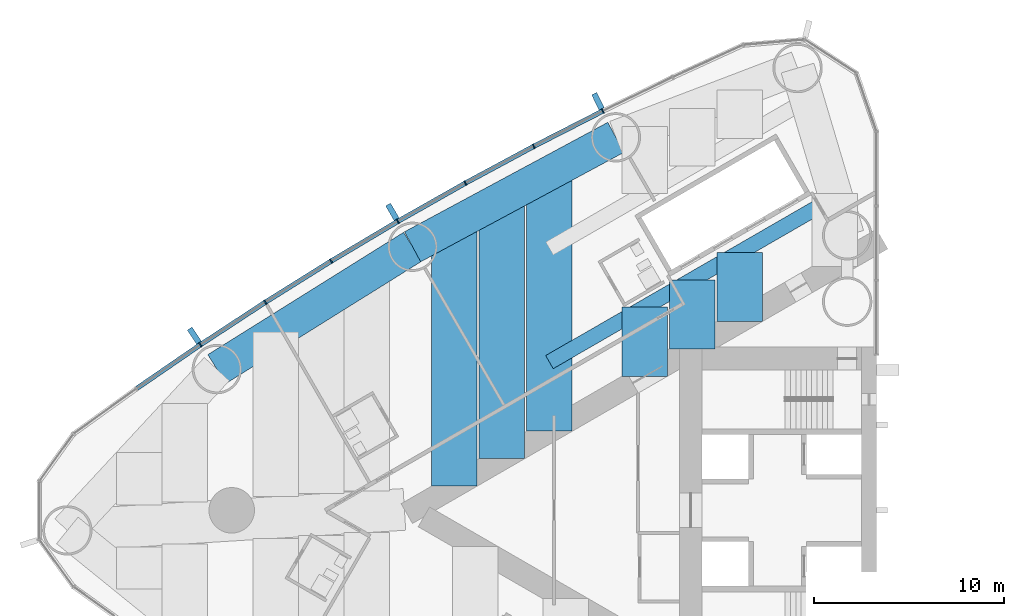
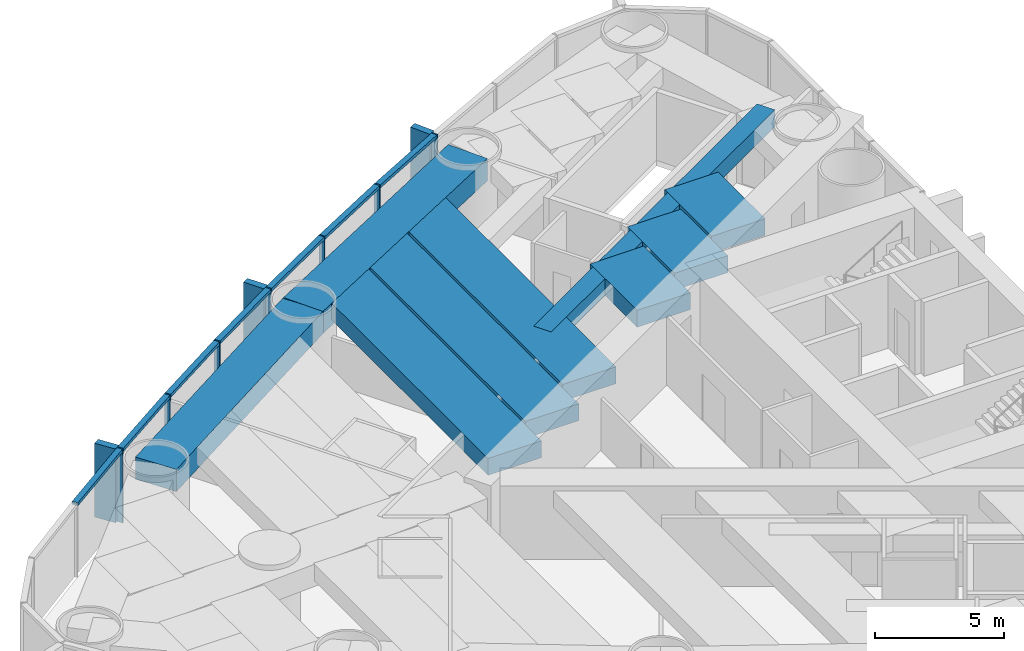
# One storey, part 4 of 18: 17 members, 9 beams, 1 element without a shape of its own.
"""IFC4 building model written with IfcOpenShell, lengths in metres."""

from ifc_helpers import new_model, si_unit, direction, frame, origin, origin_2d, place, context, subcontext, project, spatial, rectangle, hollow_rectangle, extrude, material, material_profile, profile_set, type_object, element, aggregate, save


model = new_model("IFC4")

# Units and contexts
model_context = context("Model", 3, precision=1e-05, world=origin(), true_north=direction((0.0, 1.0)))
body_context = subcontext(model_context, "Body", "Model", "MODEL_VIEW")
ifc_project = project(units=[si_unit("LENGTHUNIT", "METRE"), si_unit("AREAUNIT", "SQUARE_METRE"), si_unit("VOLUMEUNIT", "CUBIC_METRE"), si_unit("PLANEANGLEUNIT", "RADIAN"), si_unit("MASSUNIT", "GRAM", prefix="KILO")], contexts=[model_context])

# Site, building, storey
site_placement = place(None, origin())
site = spatial("IfcSite", under=ifc_project, at=site_placement, CompositionType="ELEMENT")
building_placement = place(site_placement, origin())
building = spatial("IfcBuilding", under=site, at=building_placement, Name="Lancet Gate Hotel", CompositionType="ELEMENT")
storey_placement = place(building_placement, frame((0.0, 0.0, 136.10009765625)))
storey = spatial("IfcBuildingStorey", under=building, at=storey_placement, Name="L36", CompositionType="ELEMENT", Elevation=136.10009765625)

# Curtain wall, members
ifc_material_1 = material(Name="Aluminium curtain wall", Category="aluminium")
curtain_wall_type = type_object("IfcCurtainWallType", Name="Tower unitised curtain wall", PredefinedType="USERDEFINED", material=ifc_material_1)
curtain_wall_placement = place(storey_placement, origin())
curtain_wall = element("IfcCurtainWall", 1, at=curtain_wall_placement, inside=storey, type_object=curtain_wall_type, Name="T1 L36 curtain wall 1", ObjectType="UNITISED CURTAIN WALL", PredefinedType="USERDEFINED")
ifc_material_2 = material(Name="Aluminium mullion", Category="aluminium")
ifc_material_profile_1 = material_profile(ifc_material_2, rectangle(XDim=0.06494140625, YDim=0.25, at=origin_2d()), Name="MULLION 65x250")
ifc_profile_set_1 = profile_set([ifc_material_profile_1], Name="Aluminium mullion")
member_type_1 = type_object("IfcMemberType", Name="Aluminium mullion 65x250", PredefinedType="MULLION", material=ifc_profile_set_1)
member_1_placement = place(storey_placement, frame((-41.935302734375, 21.053466796875, 0.0), z_axis=(0.0, 0.0, 1.0), x_axis=(-0.895339445458, -0.445384415317, 0.0)))
member_1 = element("IfcMember", 2, at=member_1_placement, type_object=member_type_1, Name="T1 L36 curtain wall 1 mullion 9", PredefinedType="MULLION", context=body_context, shape_type="SweptSolid", body=[
    extrude(rectangle(XDim=0.06494140625, YDim=0.25, at=origin_2d()), origin(), (0.0, 0.0, 1.0), 3.5),
])
member_2_placement = place(storey_placement, frame((-45.578857421875, 19.19189453125, 0.0), z_axis=(0.0, 0.0, 1.0), x_axis=(-0.885544335517, -0.46455487279, 0.0)))
member_2 = element("IfcMember", 3, at=member_2_placement, type_object=member_type_1, Name="T1 L36 curtain wall 1 mullion 10", PredefinedType="MULLION", context=body_context, shape_type="SweptSolid", body=[
    extrude(rectangle(XDim=0.06494140625, YDim=0.25, at=origin_2d()), origin(), (0.0, 0.0, 1.0), 3.5),
])
member_3_placement = place(storey_placement, frame((-49.181640625, 17.252197265625, 0.0), z_axis=(0.0, 0.0, 1.0), x_axis=(-0.875338819507, -0.48351003202, 0.0)))
member_3 = element("IfcMember", 4, at=member_3_placement, type_object=member_type_1, Name="T1 L36 curtain wall 1 mullion 11", PredefinedType="MULLION", context=body_context, shape_type="SweptSolid", body=[
    extrude(rectangle(XDim=0.06494140625, YDim=0.25, at=origin_2d()), origin(), (0.0, 0.0, 1.0), 3.5),
])
member_4_placement = place(storey_placement, frame((-52.74169921875, 15.2353515625, 0.0), z_axis=(0.0, 0.0, 1.0), x_axis=(-0.86472762718, -0.502241108226, 0.0)))
member_4 = element("IfcMember", 5, at=member_4_placement, type_object=member_type_1, Name="T1 L36 curtain wall 1 mullion 12", PredefinedType="MULLION", context=body_context, shape_type="SweptSolid", body=[
    extrude(rectangle(XDim=0.06494140625, YDim=0.25, at=origin_2d()), origin(), (0.0, 0.0, 1.0), 3.5),
])
member_5_placement = place(storey_placement, frame((-56.257568359375, 13.142333984375, 0.0), z_axis=(0.0, 0.0, 1.0), x_axis=(-0.853715676299, -0.52073942048, 0.0)))
member_5 = element("IfcMember", 6, at=member_5_placement, type_object=member_type_1, Name="T1 L36 curtain wall 1 mullion 13", PredefinedType="MULLION", context=body_context, shape_type="SweptSolid", body=[
    extrude(rectangle(XDim=0.06494140625, YDim=0.25, at=origin_2d()), origin(), (0.0, 0.0, 1.0), 3.5),
])
member_6_placement = place(storey_placement, frame((-59.7275390625, 10.974365234375, 0.0), z_axis=(0.0, 0.0, 1.0), x_axis=(-0.84230807036, -0.538996395727, 0.0)))
member_6 = element("IfcMember", 7, at=member_6_placement, type_object=member_type_1, Name="T1 L36 curtain wall 1 mullion 14", PredefinedType="MULLION", context=body_context, shape_type="SweptSolid", body=[
    extrude(rectangle(XDim=0.06494140625, YDim=0.25, at=origin_2d()), origin(), (0.0, 0.0, 1.0), 3.5),
])
member_7_placement = place(storey_placement, frame((-63.14990234375, 8.73193359375, 0.0), z_axis=(0.0, 0.0, 1.0), x_axis=(-0.830510096234, -0.557003572747, 0.0)))
member_7 = element("IfcMember", 8, at=member_7_placement, type_object=member_type_1, Name="T1 L36 curtain wall 1 mullion 15", PredefinedType="MULLION", context=body_context, shape_type="SweptSolid", body=[
    extrude(rectangle(XDim=0.06494140625, YDim=0.25, at=origin_2d()), origin(), (0.0, 0.0, 1.0), 3.5),
])
ifc_material_3 = material(Name="Aluminium transom", Category="aluminium")
ifc_material_profile_2 = material_profile(ifc_material_3, rectangle(XDim=0.25, YDim=0.14990234375, at=origin_2d()), Name="TRANSOM 250x150")
ifc_profile_set_2 = profile_set([ifc_material_profile_2], Name="Aluminium transom")
member_type_2 = type_object("IfcMemberType", Name="Aluminium transom 250x150", PredefinedType="USERDEFINED", material=ifc_profile_set_2)
member_8_placement = place(storey_placement, frame((-41.96435546875, 21.038818359375, 3.4248046875), z_axis=(-0.89047617483, -0.455029869415, 0.0), x_axis=(0.455029869415, -0.89047617483, 0.0)))
member_8 = element("IfcMember", 9, at=member_8_placement, type_object=member_type_2, Name="T1 L36 curtain wall 1 transom 9", ObjectType="TRANSOM", PredefinedType="USERDEFINED", context=body_context, shape_type="SweptSolid", body=[
    extrude(rectangle(XDim=0.25, YDim=0.14990234375, at=origin_2d()), origin(), (0.0, 0.0, 1.0), 4.026611328125),
])
member_9_placement = place(storey_placement, frame((-45.607421875, 19.176513671875, 3.4248046875), z_axis=(-0.880498353192, -0.474049206335, 0.0), x_axis=(0.474049206335, -0.880498353192, 0.0)))
member_9 = element("IfcMember", 10, at=member_9_placement, type_object=member_type_2, Name="T1 L36 curtain wall 1 transom 10", ObjectType="TRANSOM", PredefinedType="USERDEFINED", context=body_context, shape_type="SweptSolid", body=[
    extrude(rectangle(XDim=0.25, YDim=0.14990234375, at=origin_2d()), origin(), (0.0, 0.0, 1.0), 4.02685546875),
])
member_10_placement = place(storey_placement, frame((-49.2099609375, 17.236083984375, 3.4248046875), z_axis=(-0.870091531013, -0.492890178091, 0.0), x_axis=(0.492890178091, -0.870091531013, 0.0)))
member_10 = element("IfcMember", 11, at=member_10_placement, type_object=member_type_2, Name="T1 L36 curtain wall 1 transom 11", ObjectType="TRANSOM", PredefinedType="USERDEFINED", context=body_context, shape_type="SweptSolid", body=[
    extrude(rectangle(XDim=0.25, YDim=0.14990234375, at=origin_2d()), origin(), (0.0, 0.0, 1.0), 4.026611328125),
])
member_11_placement = place(storey_placement, frame((-52.76953125, 15.21875, 3.4248046875), z_axis=(-0.859285270342, -0.511496651186, 0.0), x_axis=(0.511496651186, -0.859285270342, 0.0)))
member_11 = element("IfcMember", 12, at=member_11_placement, type_object=member_type_2, Name="T1 L36 curtain wall 1 transom 12", ObjectType="TRANSOM", PredefinedType="USERDEFINED", context=body_context, shape_type="SweptSolid", body=[
    extrude(rectangle(XDim=0.25, YDim=0.14990234375, at=origin_2d()), origin(), (0.0, 0.0, 1.0), 4.026611328125),
])
member_12_placement = place(storey_placement, frame((-56.28515625, 13.125244140625, 3.4248046875), z_axis=(-0.848049393821, -0.529917187531, 0.0), x_axis=(0.529917187531, -0.848049393821, 0.0)))
member_12 = element("IfcMember", 13, at=member_12_placement, type_object=member_type_2, Name="T1 L36 curtain wall 1 transom 13", ObjectType="TRANSOM", PredefinedType="USERDEFINED", context=body_context, shape_type="SweptSolid", body=[
    extrude(rectangle(XDim=0.25, YDim=0.14990234375, at=origin_2d()), origin(), (0.0, 0.0, 1.0), 4.026611328125),
])
member_13_placement = place(storey_placement, frame((-59.754638671875, 10.95654296875, 3.4248046875), z_axis=(-0.83645442085, -0.548036496815, 0.0), x_axis=(0.548036496815, -0.83645442085, 0.0)))
member_13 = element("IfcMember", 14, at=member_13_placement, type_object=member_type_2, Name="T1 L36 curtain wall 1 transom 14", ObjectType="TRANSOM", PredefinedType="USERDEFINED", context=body_context, shape_type="SweptSolid", body=[
    extrude(rectangle(XDim=0.25, YDim=0.14990234375, at=origin_2d()), origin(), (0.0, 0.0, 1.0), 4.026611328125),
])
member_14_placement = place(storey_placement, frame((-63.1767578125, 8.713623046875, 3.4248046875), z_axis=(-0.824455665247, -0.565926546508, 0.0), x_axis=(0.565926546508, -0.824455665247, 0.0)))
member_14 = element("IfcMember", 15, at=member_14_placement, type_object=member_type_2, Name="T1 L36 curtain wall 1 transom 15", ObjectType="TRANSOM", PredefinedType="USERDEFINED", context=body_context, shape_type="SweptSolid", body=[
    extrude(rectangle(XDim=0.25, YDim=0.14990234375, at=origin_2d()), origin(), (0.0, 0.0, 1.0), 4.026611328125),
])

# Beams
ifc_material_4 = material(Name="Concrete C50/60", Category="concrete")
ifc_material_profile_3 = material_profile(ifc_material_4, rectangle(XDim=1.800048828125, YDim=1.050048828125, at=origin_2d()), Name="RC 1800x1050")
ifc_profile_set_3 = profile_set([ifc_material_profile_3], Name="Concrete C50/60")
beam_type_1 = type_object("IfcBeamType", Name="Edge beam RC 1800x1050", PredefinedType="SPANDREL", material=ifc_profile_set_3)
for number, where, z_axis, x_axis, name in (
    (16, (-41.244873046875, 19.665771484375, 2.724853515625), (-0.880492350889, -0.474060354835, 0.0), (0.474060354835, -0.880492350889, 0.0), "T1 edge beam EB1 L36"),
    (17, (-51.963134765625, 13.89501953125, 2.724853515625), (-0.848062521637, -0.529896177939, 0.0), (0.529896177939, -0.848062521637, 0.0), "T1 edge beam EB1 L36"),
):
    element("IfcBeam", number, at=place(storey_placement, frame(where, z_axis=z_axis, x_axis=x_axis)), inside=storey, type_object=beam_type_1, Name=name, PredefinedType="SPANDREL", context=body_context, shape_type="SweptSolid", body=[
        extrude(rectangle(XDim=1.800048828125, YDim=1.050048828125, at=origin_2d()), origin(), (0.0, 0.0, 1.0), 12.173095703125),
    ])

# Member
ifc_material_5 = material(Name="Precast concrete C50/60", Category="concrete")
ifc_material_profile_4 = material_profile(ifc_material_5, rectangle(XDim=0.300048828125, YDim=0.89990234375, at=origin_2d()), Name="FIN 300x900")
ifc_profile_set_4 = profile_set([ifc_material_profile_4], Name="Precast concrete C50/60")
member_type_3 = type_object("IfcMemberType", Name="Exposed concrete fin 300x900", PredefinedType="USERDEFINED", material=ifc_profile_set_4)
member_15_placement = place(storey_placement, frame((-42.19140625, 21.568359375, 0.0), z_axis=(0.0, 0.0, 1.0), x_axis=(-0.895339445458, -0.445384415317, 0.0)))
member_15 = element("IfcMember", 18, at=member_15_placement, type_object=member_type_3, Name="T1 L36 curtain wall 1 fin 9", ObjectType="FIN", PredefinedType="USERDEFINED", context=body_context, shape_type="SweptSolid", body=[
    extrude(rectangle(XDim=0.300048828125, YDim=0.89990234375, at=origin_2d()), origin(), (0.0, 0.0, 1.0), 3.5),
])

member_16_placement = place(storey_placement, frame((-53.030517578125, 15.732666015625, 0.0), z_axis=(0.0, 0.0, 1.0), x_axis=(-0.86472762718, -0.502241108226, 0.0)))
member_16 = element("IfcMember", 19, at=member_16_placement, type_object=member_type_3, Name="T1 L36 curtain wall 1 fin 12", ObjectType="FIN", PredefinedType="USERDEFINED", context=body_context, shape_type="SweptSolid", body=[
    extrude(rectangle(XDim=0.300048828125, YDim=0.89990234375, at=origin_2d()), origin(), (0.0, 0.0, 1.0), 3.5),
])

member_17_placement = place(storey_placement, frame((-63.47021484375, 9.20947265625, 0.0), z_axis=(0.0, 0.0, 1.0), x_axis=(-0.830510096234, -0.557003572747, 0.0)))
member_17 = element("IfcMember", 20, at=member_17_placement, type_object=member_type_3, Name="T1 L36 curtain wall 1 fin 15", ObjectType="FIN", PredefinedType="USERDEFINED", context=body_context, shape_type="SweptSolid", body=[
    extrude(rectangle(XDim=0.300048828125, YDim=0.89990234375, at=origin_2d()), origin(), (0.0, 0.0, 1.0), 3.5),
])

aggregate(curtain_wall, [member_1, member_15, member_2, member_3, member_4, member_16, member_5, member_6, member_7, member_17, member_8, member_9, member_10, member_11, member_12, member_13, member_14])

# Beams
ifc_material_6 = material(Name="Concrete C50/60", Category="concrete")
ifc_material_profile_5 = material_profile(ifc_material_6, rectangle(XDim=2.39990234375, YDim=0.800048828125, at=origin_2d()), Name="RC 2400x800")
ifc_profile_set_5 = profile_set([ifc_material_profile_5], Name="Concrete C50/60")
beam_type_2 = type_object("IfcBeamType", Name="Floor beam RC 2400x800", PredefinedType="BEAM", material=ifc_profile_set_5)
beam_1_placement = place(storey_placement, frame((-44.747802734375, 17.77978515625, 2.849853515625), z_axis=(0.0, -1.0, 0.0), x_axis=(1.0, 0.0, 0.0)))
element("IfcBeam", 21, at=beam_1_placement, inside=storey, type_object=beam_type_2, Name="T1 floor beam F09S L36", PredefinedType="BEAM", context=body_context, shape_type="SweptSolid", body=[
    extrude(rectangle(XDim=2.39990234375, YDim=0.800048828125, at=origin_2d()), origin(), (0.0, 0.0, 1.0), 13.611083984375),
])
beam_2_placement = place(storey_placement, frame((-47.254638671875, 16.43017578125, 2.849853515625), z_axis=(0.0, -1.0, 0.0), x_axis=(1.0, 0.0, 0.0)))
element("IfcBeam", 22, at=beam_2_placement, inside=storey, type_object=beam_type_2, Name="T1 floor beam F10S L36", PredefinedType="BEAM", context=body_context, shape_type="SweptSolid", body=[
    extrude(rectangle(XDim=2.39990234375, YDim=0.800048828125, at=origin_2d()), origin(), (0.0, 0.0, 1.0), 13.708740234375),
])
beam_3_placement = place(storey_placement, frame((-49.761474609375, 15.08056640625, 2.849853515625), z_axis=(0.0, -1.0, 0.0), x_axis=(1.0, 0.0, 0.0)))
element("IfcBeam", 23, at=beam_3_placement, inside=storey, type_object=beam_type_2, Name="T1 floor beam F12S L36", PredefinedType="BEAM", context=body_context, shape_type="SweptSolid", body=[
    extrude(rectangle(XDim=2.39990234375, YDim=0.800048828125, at=origin_2d()), origin(), (0.0, 0.0, 1.0), 13.806396484375),
])
beam_4_placement = place(storey_placement, frame((-34.720458984375, 13.603759765625, 2.849853515625), z_axis=(0.0, -1.0, 0.0), x_axis=(1.0, 0.0, 0.0)))
element("IfcBeam", 24, at=beam_4_placement, inside=storey, type_object=beam_type_2, Name="T1 floor beam F04SB L36", PredefinedType="BEAM", context=body_context, shape_type="SweptSolid", body=[
    extrude(rectangle(XDim=2.39990234375, YDim=0.800048828125, at=origin_2d()), origin(), (0.0, 0.0, 1.0), 3.645751953125),
])
beam_5_placement = place(storey_placement, frame((-37.227294921875, 12.15625, 2.849853515625), z_axis=(0.0, -1.0, 0.0), x_axis=(1.0, 0.0, 0.0)))
element("IfcBeam", 25, at=beam_5_placement, inside=storey, type_object=beam_type_2, Name="T1 floor beam F05SB L36", PredefinedType="BEAM", context=body_context, shape_type="SweptSolid", body=[
    extrude(rectangle(XDim=2.39990234375, YDim=0.800048828125, at=origin_2d()), origin(), (0.0, 0.0, 1.0), 3.6455078125),
])
beam_6_placement = place(storey_placement, frame((-39.734130859375, 10.708740234375, 2.849853515625), z_axis=(0.0, -1.0, 0.0), x_axis=(1.0, 0.0, 0.0)))
element("IfcBeam", 26, at=beam_6_placement, inside=storey, type_object=beam_type_2, Name="T1 floor beam F07SB L36", PredefinedType="BEAM", context=body_context, shape_type="SweptSolid", body=[
    extrude(rectangle(XDim=2.39990234375, YDim=0.800048828125, at=origin_2d()), origin(), (0.0, 0.0, 1.0), 3.645263671875),
])
ifc_material_7 = material(Name="Steel S460QL", Category="steel")
ifc_material_profile_6 = material_profile(ifc_material_7, hollow_rectangle(XDim=0.800048828125, YDim=0.800048828125, WallThickness=0.080078125, at=origin_2d()), Name="BOX 800x800x80")
ifc_profile_set_6 = profile_set([ifc_material_profile_6], Name="Steel S460QL")
beam_type_3 = type_object("IfcBeamType", Name="Trimmer beam BOX 800x800x80", PredefinedType="BEAM", material=ifc_profile_set_6)
beam_7_placement = place(storey_placement, frame((-29.706787109375, 16.49853515625, 2.849853515625), z_axis=(-0.866003462672, -0.500038001195, 0.0), x_axis=(0.500038001195, -0.866003462672, 0.0)))
element("IfcBeam", 27, at=beam_7_placement, inside=storey, type_object=beam_type_3, Name="T1 trimmer beam TR02S L36", PredefinedType="BEAM", context=body_context, shape_type="SweptSolid", body=[
    extrude(hollow_rectangle(XDim=0.800048828125, YDim=0.800048828125, WallThickness=0.080078125, at=origin_2d()), origin(), (0.0, 0.0, 1.0), 17.368408203125),
])

save(model, "model.ifc")
